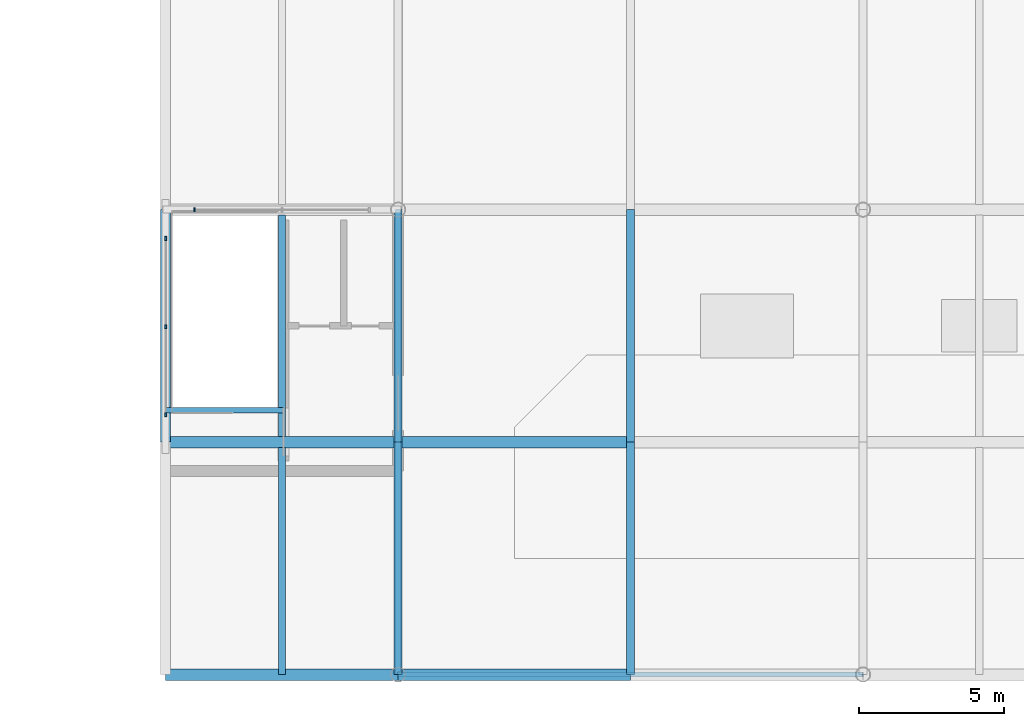
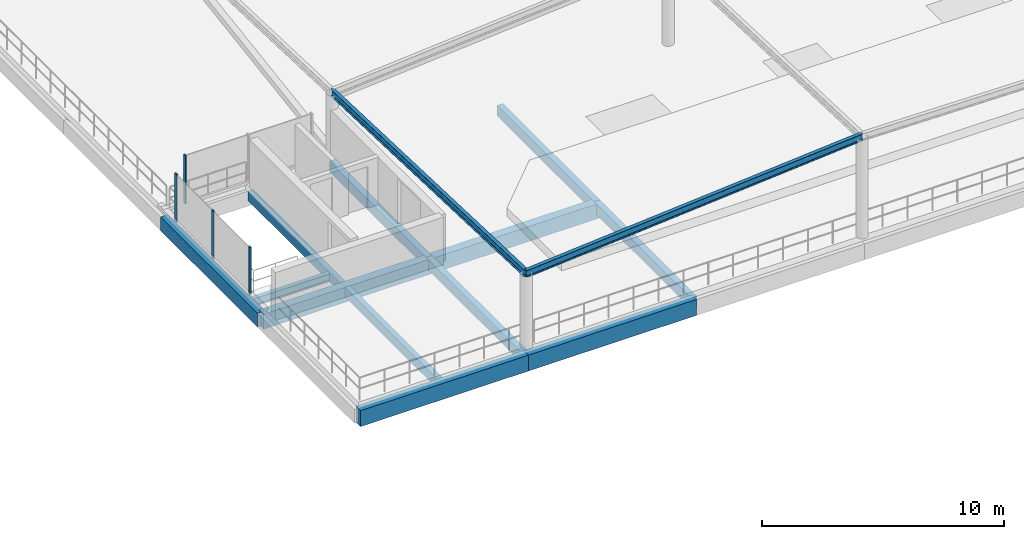
# One storey, part 16 of 76: 14 beams, 4 members, 2 elements without a shape of their own.
"""IFC4 building model written with IfcOpenShell, lengths in metres."""

from ifc_helpers import new_model, si_unit, derived_unit, direction, frame, origin, origin_2d, place, context, subcontext, project, spatial, rectangle, i_section, extrude, material, layer, layer_set, material_profile, profile_set, type_object, element, aggregate, save


model = new_model("IFC4")

# Units and contexts
model_context = context("Model", 3, precision=1e-05, world=origin(), true_north=direction((0.0, 1.0)))
body_context = subcontext(model_context, "Body", "Model", "MODEL_VIEW")
ifc_project = project(units=[si_unit("LENGTHUNIT", "METRE"), si_unit("AREAUNIT", "SQUARE_METRE"), si_unit("VOLUMEUNIT", "CUBIC_METRE"), si_unit("PLANEANGLEUNIT", "RADIAN"), si_unit("MASSUNIT", "GRAM", prefix="KILO"), si_unit("THERMODYNAMICTEMPERATUREUNIT", "KELVIN"), derived_unit("THERMALTRANSMITTANCEUNIT", [(si_unit("POWERUNIT", "WATT"), 1), (si_unit("AREAUNIT", "SQUARE_METRE"), -1), (si_unit("THERMODYNAMICTEMPERATUREUNIT", "KELVIN"), -1)])], contexts=[model_context])

# Site, building, storey
site_placement = place(None, origin())
site = spatial("IfcSite", under=ifc_project, at=site_placement, CompositionType="ELEMENT")
building_placement = place(site_placement, origin())
building = spatial("IfcBuilding", under=site, at=building_placement, Name="Haiyu Intermodal Mobility Hub", CompositionType="ELEMENT")
storey_placement = place(building_placement, frame((0.0, 0.0, 17.300048828125)))
storey = spatial("IfcBuildingStorey", under=building, at=storey_placement, Name="L04", CompositionType="ELEMENT", Elevation=17.300048828125)

# Beams
ifc_material_1 = material(Name="Concrete C40", Category="concrete")
ifc_material_profile_1 = material_profile(ifc_material_1, rectangle(XDim=0.39990234375, YDim=0.75, at=origin_2d()), Name="RCB400x750")
ifc_profile_set_1 = profile_set([ifc_material_profile_1], Name="Concrete C40")
beam_type_1 = type_object("IfcBeamType", Name="BM-CB03", PredefinedType="BEAM", material=ifc_profile_set_1)
for number, where, z_axis, x_axis, name in (
    (1, (154.0, 24.0, -0.675048828125), (1.0, 0.0, 0.0), (0.0, 1.0, 0.0), "BM-V5G-L04-007"),
    (2, (162.0, 24.0, -0.675048828125), (1.0, 0.0, 0.0), (0.0, 1.0, 0.0), "BM-V5G-L04-008"),
):
    element("IfcBeam", number, at=place(storey_placement, frame(where, z_axis=z_axis, x_axis=x_axis)), inside=storey, type_object=beam_type_1, Name=name, PredefinedType="BEAM", context=body_context, shape_type="SweptSolid", body=[
        extrude(rectangle(XDim=0.39990234375, YDim=0.75, at=origin_2d()), origin(), (0.0, 0.0, 1.0), 8.0),
    ])
ifc_material_profile_2 = material_profile(ifc_material_1, rectangle(XDim=0.39990234375, YDim=0.800048828125, at=origin_2d()), Name="RCB400x800")
ifc_profile_set_2 = profile_set([ifc_material_profile_2], Name="Concrete C40")
beam_type_2 = type_object("IfcBeamType", Name="BM-CB05", PredefinedType="BEAM", material=ifc_profile_set_2)
for number, where, z_axis, x_axis, name in (
    (3, (154.0, 16.0, -0.699951171875), (1.0, 0.0, 0.0), (0.0, 1.0, 0.0), "BM-V5G-L04-001"),
    (4, (162.0, 16.0, -0.699951171875), (1.0, 0.0, 0.0), (0.0, 1.0, 0.0), "BM-V5G-L04-002"),
):
    element("IfcBeam", number, at=place(storey_placement, frame(where, z_axis=z_axis, x_axis=x_axis)), inside=storey, type_object=beam_type_2, Name=name, PredefinedType="BEAM", context=body_context, shape_type="SweptSolid", body=[
        extrude(rectangle(XDim=0.39990234375, YDim=0.800048828125, at=origin_2d()), origin(), (0.0, 0.0, 1.0), 8.0),
    ])
ifc_material_profile_3 = material_profile(ifc_material_1, rectangle(XDim=0.35009765625, YDim=0.699951171875, at=origin_2d()), Name="RCB350x700")
ifc_profile_set_3 = profile_set([ifc_material_profile_3], Name="Concrete C40")
beam_type_3 = type_object("IfcBeamType", Name="BM-CB06", PredefinedType="BEAM", material=ifc_profile_set_3)
beam_1_placement = place(storey_placement, frame((154.0, 24.0, -0.650146484375), z_axis=(0.0, 1.0, 0.0), x_axis=(-1.0, 0.0, 0.0)))
element("IfcBeam", 5, at=beam_1_placement, inside=storey, type_object=beam_type_3, Name="BM-V5T-L04-002", PredefinedType="BEAM", context=body_context, shape_type="SweptSolid", body=[
    extrude(rectangle(XDim=0.35009765625, YDim=0.699951171875, at=origin_2d()), origin(), (0.0, 0.0, 1.0), 8.0),
])
ifc_material_profile_4 = material_profile(ifc_material_1, rectangle(XDim=0.280029296875, YDim=0.5400390625, at=origin_2d()), Name="RCB280x540")
ifc_profile_set_4 = profile_set([ifc_material_profile_4], Name="Concrete C40")
beam_type_4 = type_object("IfcBeamType", Name="BM-CB08", PredefinedType="JOIST", material=ifc_profile_set_4)
for number, where, z_axis, x_axis, name in (
    (6, (162.0, 16.0, -0.570068359375), (0.0, 1.0, 0.0), (-1.0, 0.0, 0.0), "BM-V5T-L04-009"),
    (7, (162.0, 24.0, -0.570068359375), (0.0, 1.0, 0.0), (-1.0, 0.0, 0.0), "BM-V5T-L04-010"),
    (8, (170.0, 16.0, -0.570068359375), (0.0, 1.0, 0.0), (-1.0, 0.0, 0.0), "BM-V5T-L04-017"),
    (9, (170.0, 24.0, -0.570068359375), (0.0, 1.0, 0.0), (-1.0, 0.0, 0.0), "BM-V5T-L04-018"),
):
    element("IfcBeam", number, at=place(storey_placement, frame(where, z_axis=z_axis, x_axis=x_axis)), inside=storey, type_object=beam_type_4, Name=name, PredefinedType="JOIST", context=body_context, shape_type="SweptSolid", body=[
        extrude(rectangle(XDim=0.280029296875, YDim=0.5400390625, at=origin_2d()), origin(), (0.0, 0.0, 1.0), 8.0),
    ])
ifc_material_profile_5 = material_profile(ifc_material_1, rectangle(XDim=0.25, YDim=0.47998046875, at=origin_2d()), Name="RCB250x480")
ifc_profile_set_5 = profile_set([ifc_material_profile_5], Name="Concrete C40")
beam_type_5 = type_object("IfcBeamType", Name="BM-CB09", PredefinedType="JOIST", material=ifc_profile_set_5)
beam_2_placement = place(storey_placement, frame((158.0, 16.0, -0.5400390625), z_axis=(0.0, 1.0, 0.0), x_axis=(-1.0, 0.0, 0.0)))
element("IfcBeam", 10, at=beam_2_placement, inside=storey, type_object=beam_type_5, Name="BM-V5J-L04-001", PredefinedType="JOIST", context=body_context, shape_type="SweptSolid", body=[
    extrude(rectangle(XDim=0.25, YDim=0.47998046875, at=origin_2d()), origin(), (0.0, 0.0, 1.0), 7.81494140625),
])
beam_3_placement = place(storey_placement, frame((158.0, 24.18505859375, -0.5400390625), z_axis=(0.0, 1.0, 0.0), x_axis=(-1.0, 0.0, 0.0)))
element("IfcBeam", 11, at=beam_3_placement, inside=storey, type_object=beam_type_5, Name="BM-V5J-L04-002", PredefinedType="JOIST", context=body_context, shape_type="SweptSolid", body=[
    extrude(rectangle(XDim=0.25, YDim=0.47998046875, at=origin_2d()), origin(), (0.0, 0.0, 1.0), 7.6298828125),
])
ifc_material_2 = material(Name="Steel Q355C", Category="steel")
ifc_material_profile_6 = material_profile(ifc_material_2, i_section(OverallWidth=0.199951171875, OverallDepth=0.39990234375, WebThickness=0.008056640625, FlangeThickness=0.012939453125, FilletRadius=0.01611328125, at=origin_2d()), Name="HN400x200x8x13")
ifc_profile_set_6 = profile_set([ifc_material_profile_6], Name="Steel Q355C")
beam_type_6 = type_object("IfcBeamType", Name="BM-SB08", PredefinedType="JOIST", material=ifc_profile_set_6)
beam_4_placement = place(storey_placement, frame((154.0, 25.10009765625, -0.525146484375), z_axis=(1.0, 0.0, 0.0), x_axis=(0.0, 1.0, 0.0)))
element("IfcBeam", 12, at=beam_4_placement, inside=storey, type_object=beam_type_6, Name="Stair Arrival Trimmer Beam C8-L03", PredefinedType="JOIST", context=body_context, shape_type="SweptSolid", body=[
    extrude(i_section(OverallWidth=0.199951171875, OverallDepth=0.39990234375, WebThickness=0.008056640625, FlangeThickness=0.012939453125, FilletRadius=0.01611328125, at=origin_2d()), origin(), (0.0, 0.0, 1.0), 4.050048828125),
])
ifc_material_profile_7 = material_profile(ifc_material_2, i_section(OverallWidth=0.175048828125, OverallDepth=0.35009765625, WebThickness=0.007080078125, FlangeThickness=0.010986328125, FilletRadius=0.013916015625, at=origin_2d()), Name="HN350x175x7x11")
ifc_profile_set_7 = profile_set([ifc_material_profile_7], Name="Steel Q355C")
beam_type_7 = type_object("IfcBeamType", Name="BM-SB09", PredefinedType="JOIST", material=ifc_profile_set_7)
beam_5_placement = place(storey_placement, frame((162.0, 16.0, 3.7099609375), z_axis=(0.0, 0.999343438911, -0.036231079267), x_axis=(-1.0, 0.0, 0.0)))
element("IfcBeam", 13, at=beam_5_placement, inside=storey, type_object=beam_type_7, Name="BM-V5WR-L04-001", PredefinedType="JOIST", context=body_context, shape_type="SweptSolid", body=[
    extrude(i_section(OverallWidth=0.175048828125, OverallDepth=0.35009765625, WebThickness=0.007080078125, FlangeThickness=0.010986328125, FilletRadius=0.013916015625, at=origin_2d()), origin(), (0.0, 0.0, 1.0), 16.010498046875),
])
beam_6_placement = place(storey_placement, frame((162.0, 16.0, 3.7099609375), z_axis=(0.996745847078, 0.0, 0.080608413536), x_axis=(0.0, 1.0, 0.0)))
element("IfcBeam", 14, at=beam_6_placement, inside=storey, type_object=beam_type_7, Name="BM-V5WP-L04-013", PredefinedType="JOIST", context=body_context, shape_type="SweptSolid", body=[
    extrude(i_section(OverallWidth=0.175048828125, OverallDepth=0.35009765625, WebThickness=0.007080078125, FlangeThickness=0.010986328125, FilletRadius=0.013916015625, at=origin_2d()), origin(), (0.0, 0.0, 1.0), 16.05224609375),
])

# Curtain wall, member
ifc_material_3 = material(Name="Low-e laminated insulating glass", Category="glass")
ifc_layer = layer(ifc_material_3, 0.199951171875)
ifc_layer_set = layer_set([ifc_layer], Name="Low-e laminated insulating glass")
curtain_wall_type = type_object("IfcCurtainWallType", Name="CW-CW03", PredefinedType="NOTDEFINED", material=ifc_layer_set)
curtain_wall_1_placement = place(storey_placement, origin())
curtain_wall_1 = element("IfcCurtainWall", 15, at=curtain_wall_1_placement, inside=storey, type_object=curtain_wall_type, Name="Curtain Wall CW-CPAR-C8-N", PredefinedType="NOTDEFINED")
ifc_material_4 = material(Name="Anodised aluminium 6063-T6", Category="aluminium")
ifc_material_profile_8 = material_profile(ifc_material_4, rectangle(XDim=0.06005859375, YDim=0.14501953125, at=origin_2d()), Name="ALU60x145")
ifc_profile_set_8 = profile_set([ifc_material_profile_8], Name="Anodised aluminium 6063-T6")
member_type = type_object("IfcMemberType", Name="CWM-ML03", PredefinedType="MULLION", material=ifc_profile_set_8)
member_1_placement = place(storey_placement, frame((154.989990234375, 32.0, 0.0), z_axis=(0.0, 0.0, 1.0), x_axis=(1.0, 0.0, 0.0)))
member_1 = element("IfcMember", 16, at=member_1_placement, type_object=member_type, Name="CW-CPAR-C8-N-ML03", PredefinedType="MULLION", context=body_context, shape_type="SweptSolid", body=[
    extrude(rectangle(XDim=0.06005859375, YDim=0.14501953125, at=origin_2d()), origin(), (0.0, 0.0, 1.0), 2.4208984375),
])
aggregate(curtain_wall_1, [member_1])

# Curtain wall, members
curtain_wall_2_placement = place(storey_placement, origin())
curtain_wall_2 = element("IfcCurtainWall", 17, at=curtain_wall_2_placement, inside=storey, type_object=curtain_wall_type, Name="Curtain Wall CW-CPAR-C8-W", PredefinedType="NOTDEFINED")
member_2_placement = place(storey_placement, frame((154.0, 31.010009765625, 0.0), z_axis=(0.0, 0.0, 1.0), x_axis=(1.0, 0.0, 0.0)))
member_2 = element("IfcMember", 18, at=member_2_placement, type_object=member_type, Name="CW-CPAR-C8-W-ML01", PredefinedType="MULLION", context=body_context, shape_type="SweptSolid", body=[
    extrude(rectangle(XDim=0.06005859375, YDim=0.14501953125, at=origin_2d()), origin(), (0.0, 0.0, 1.0), 2.4208984375),
])
member_3_placement = place(storey_placement, frame((154.0, 27.97509765625, 0.0), z_axis=(0.0, 0.0, 1.0), x_axis=(1.0, 0.0, 0.0)))
member_3 = element("IfcMember", 19, at=member_3_placement, type_object=member_type, Name="CW-CPAR-C8-W-ML02", PredefinedType="MULLION", context=body_context, shape_type="SweptSolid", body=[
    extrude(rectangle(XDim=0.06005859375, YDim=0.14501953125, at=origin_2d()), origin(), (0.0, 0.0, 1.0), 2.4208984375),
])
member_4_placement = place(storey_placement, frame((154.0, 24.93994140625, 0.0), z_axis=(0.0, 0.0, 1.0), x_axis=(1.0, 0.0, 0.0)))
member_4 = element("IfcMember", 20, at=member_4_placement, type_object=member_type, Name="CW-CPAR-C8-W-ML03", PredefinedType="MULLION", context=body_context, shape_type="SweptSolid", body=[
    extrude(rectangle(XDim=0.06005859375, YDim=0.14501953125, at=origin_2d()), origin(), (0.0, 0.0, 1.0), 2.4208984375),
])
aggregate(curtain_wall_2, [member_2, member_3, member_4])

save(model, "model.ifc")
